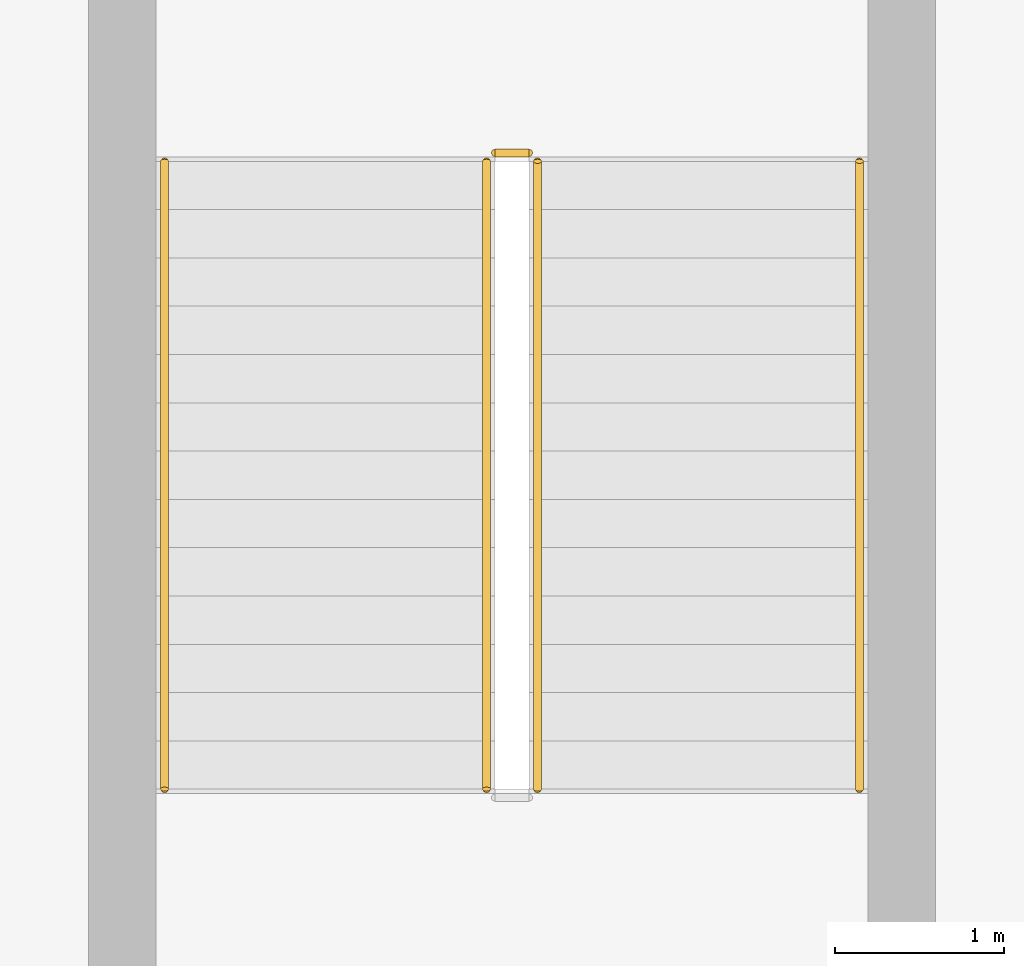
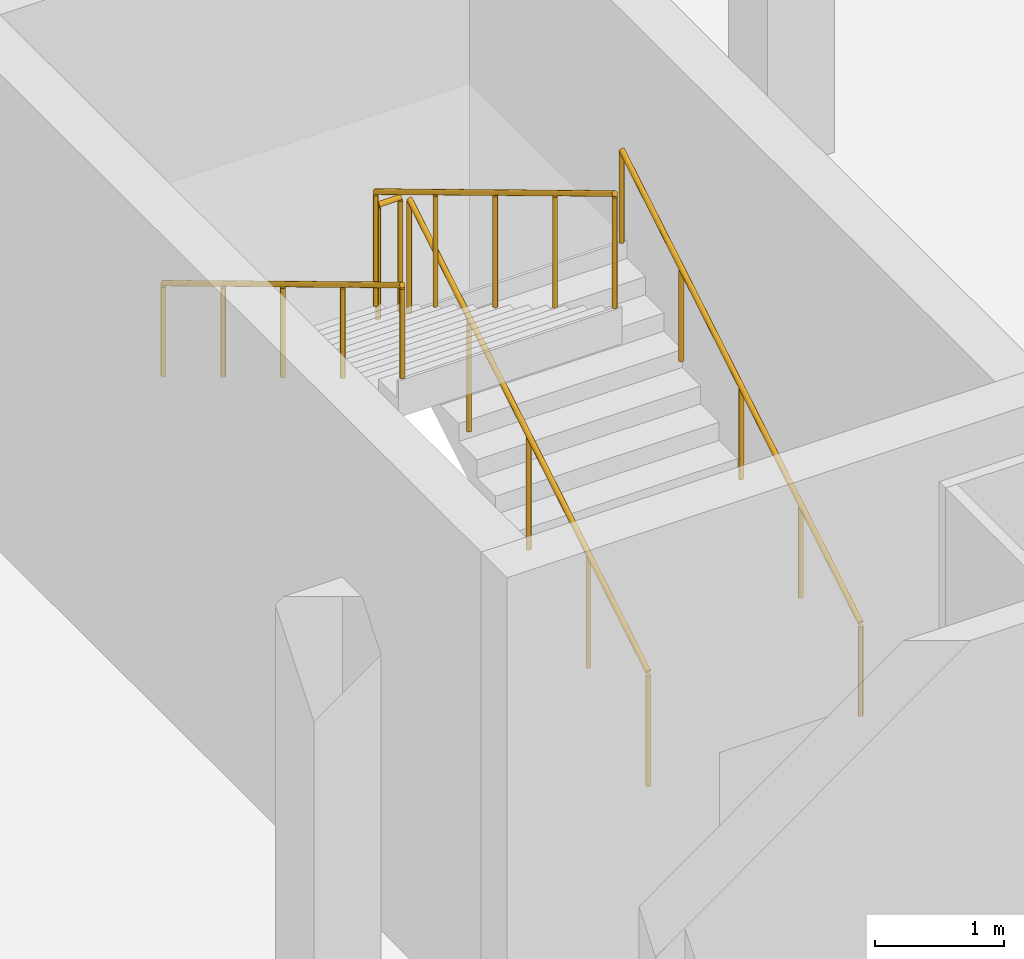
# One storey, part 98 of 99: 5 railings.
"""IFC4 building model written with IfcOpenShell, lengths in metres."""

from ifc_helpers import new_model, si_unit, direction, frame, origin, origin_2d, place, context, subcontext, project, spatial, circle, extrude, material, type_object, element, save


model = new_model("IFC4")

# Units and contexts
model_context = context("Model", 3, precision=1e-05, world=origin(), true_north=direction((0.0, 1.0)))
body_context = subcontext(model_context, "Body", "Model", "MODEL_VIEW")
ifc_project = project(units=[si_unit("LENGTHUNIT", "METRE"), si_unit("AREAUNIT", "SQUARE_METRE"), si_unit("VOLUMEUNIT", "CUBIC_METRE"), si_unit("PLANEANGLEUNIT", "RADIAN"), si_unit("MASSUNIT", "GRAM", prefix="KILO")], contexts=[model_context])

# Site, building, storey
site_placement = place(None, origin())
site = spatial("IfcSite", under=ifc_project, at=site_placement, CompositionType="ELEMENT")
building_placement = place(site_placement, origin())
building = spatial("IfcBuilding", under=site, at=building_placement, Name="Caelomonte Colonnade Arena", CompositionType="ELEMENT")
storey_placement = place(building_placement, frame((0.0, 0.0, 4.800048828125)))
storey = spatial("IfcBuildingStorey", under=building, at=storey_placement, Name="L01", CompositionType="ELEMENT", Elevation=4.800048828125)

# Railings
ifc_material_1 = material(Name="Painted galvanized steel stair guard", Category="steel")
railing_type_1 = type_object("IfcRailingType", Name="INT-RL-GRD", PredefinedType="GUARDRAIL", material=ifc_material_1)
railing_1_placement = place(storey_placement, frame((81.050048828125, 127.199951171875, 0.17138671875)))
element("IfcRailing", 1, at=railing_1_placement, inside=storey, type_object=railing_type_1, Name="L01 ST-07 stair guard 1", PredefinedType="GUARDRAIL", context=body_context, shape_type="SweptSolid", body=[
    extrude(circle(Radius=0.02392578125, at=origin_2d()), frame((0.0, 0.0, 1.076171875), z_axis=(0.0, 0.856934400257, 0.515425487977), x_axis=(-1.0, 0.0, 0.0)), (0.0, 0.0, 1.0), 4.32373046875),
    extrude(circle(Radius=0.02099609375, at=origin_2d()), origin(), (0.0, 0.0, 1.0), 1.048095703125),
    extrude(circle(Radius=0.02099609375, at=origin_2d()), frame((0.0, 0.92626953125, 0.55712890625)), (0.0, 0.0, 1.0), 1.048095703125),
    extrude(circle(Radius=0.02099609375, at=origin_2d()), frame((0.0, 1.8525390625, 1.1142578125)), (0.0, 0.0, 1.0), 1.048095703125),
    extrude(circle(Radius=0.02099609375, at=origin_2d()), frame((0.0, 2.77880859375, 1.67138671875)), (0.0, 0.0, 1.0), 1.048095703125),
    extrude(circle(Radius=0.02099609375, at=origin_2d()), frame((0.0, 3.705078125, 2.228515625)), (0.0, 0.0, 1.0), 1.048095703125),
])
railing_2_placement = place(storey_placement, frame((81.0, 130.955078125, 2.39990234375)))
element("IfcRailing", 2, at=railing_2_placement, inside=storey, type_object=railing_type_1, Name="L01 ST-07 stair guard 2", PredefinedType="GUARDRAIL", context=body_context, shape_type="SweptSolid", body=[
    extrude(circle(Radius=0.02392578125, at=origin_2d()), frame((0.0, 0.0, 1.076171875), z_axis=(-1.0, 0.0, 0.0), x_axis=(0.0, -1.0, 0.0)), (0.0, 0.0, 1.0), 0.199951171875),
    extrude(circle(Radius=0.02099609375, at=origin_2d()), origin(), (0.0, 0.0, 1.0), 1.048095703125),
    extrude(circle(Radius=0.02099609375, at=origin_2d()), frame((-0.199951171875, 0.0, 0.0)), (0.0, 0.0, 1.0), 1.048095703125),
])
railing_3_placement = place(storey_placement, frame((80.75, 130.905029296875, 2.5712890625)))
element("IfcRailing", 3, at=railing_3_placement, inside=storey, type_object=railing_type_1, Name="L01 ST-07 stair guard 3", PredefinedType="GUARDRAIL", context=body_context, shape_type="SweptSolid", body=[
    extrude(circle(Radius=0.02392578125, at=origin_2d()), frame((0.0, 0.0, 1.076171875), z_axis=(0.0, -0.856909459561, 0.515466951525), x_axis=(1.0, 0.0, 0.0)), (0.0, 0.0, 1.0), 4.32373046875),
    extrude(circle(Radius=0.02099609375, at=origin_2d()), origin(), (0.0, 0.0, 1.0), 1.048095703125),
    extrude(circle(Radius=0.02099609375, at=origin_2d()), frame((0.0, -0.92626953125, 0.55712890625)), (0.0, 0.0, 1.0), 1.048095703125),
    extrude(circle(Radius=0.02099609375, at=origin_2d()), frame((0.0, -1.8525390625, 1.1142578125)), (0.0, 0.0, 1.0), 1.048095703125),
    extrude(circle(Radius=0.02099609375, at=origin_2d()), frame((0.0, -2.77880859375, 1.671630859375)), (0.0, 0.0, 1.0), 1.048095703125),
    extrude(circle(Radius=0.02099609375, at=origin_2d()), frame((0.0, -3.705078125, 2.228759765625)), (0.0, 0.0, 1.0), 1.048095703125),
])
ifc_material_2 = material(Name="Brushed stainless steel stair handrail", Category="steel")
railing_type_2 = type_object("IfcRailingType", Name="INT-RL-HR", PredefinedType="HANDRAIL", material=ifc_material_2)
railing_4_placement = place(storey_placement, frame((82.949951171875, 127.199951171875, 0.17138671875)))
element("IfcRailing", 4, at=railing_4_placement, inside=storey, type_object=railing_type_2, Name="L01 ST-07 stair handrail 1", PredefinedType="HANDRAIL", context=body_context, shape_type="SweptSolid", body=[
    extrude(circle(Radius=0.02392578125, at=origin_2d()), frame((0.0, 0.0, 0.8759765625), z_axis=(0.0, 0.856934400257, 0.515425487977), x_axis=(-1.0, 0.0, 0.0)), (0.0, 0.0, 1.0), 4.32373046875),
    extrude(circle(Radius=0.02099609375, at=origin_2d()), origin(), (0.0, 0.0, 1.0), 0.847900390625),
    extrude(circle(Radius=0.02099609375, at=origin_2d()), frame((0.0, 0.92626953125, 0.55712890625)), (0.0, 0.0, 1.0), 0.847900390625),
    extrude(circle(Radius=0.02099609375, at=origin_2d()), frame((0.0, 1.8525390625, 1.1142578125)), (0.0, 0.0, 1.0), 0.847900390625),
    extrude(circle(Radius=0.02099609375, at=origin_2d()), frame((0.0, 2.77880859375, 1.67138671875)), (0.0, 0.0, 1.0), 0.847900390625),
    extrude(circle(Radius=0.02099609375, at=origin_2d()), frame((0.0, 3.705078125, 2.228515625)), (0.0, 0.0, 1.0), 0.847900390625),
])
railing_5_placement = place(storey_placement, frame((78.85009765625, 130.905029296875, 2.5712890625)))
element("IfcRailing", 5, at=railing_5_placement, inside=storey, type_object=railing_type_2, Name="L01 ST-07 stair handrail 2", PredefinedType="HANDRAIL", context=body_context, shape_type="SweptSolid", body=[
    extrude(circle(Radius=0.02392578125, at=origin_2d()), frame((0.0, 0.0, 0.8759765625), z_axis=(0.0, -0.856909459561, 0.515466951525), x_axis=(1.0, 0.0, 0.0)), (0.0, 0.0, 1.0), 4.32373046875),
    extrude(circle(Radius=0.02099609375, at=origin_2d()), origin(), (0.0, 0.0, 1.0), 0.847900390625),
    extrude(circle(Radius=0.02099609375, at=origin_2d()), frame((0.0, -0.92626953125, 0.55712890625)), (0.0, 0.0, 1.0), 0.847900390625),
    extrude(circle(Radius=0.02099609375, at=origin_2d()), frame((0.0, -1.8525390625, 1.1142578125)), (0.0, 0.0, 1.0), 0.847900390625),
    extrude(circle(Radius=0.02099609375, at=origin_2d()), frame((0.0, -2.77880859375, 1.671630859375)), (0.0, 0.0, 1.0), 0.847900390625),
    extrude(circle(Radius=0.02099609375, at=origin_2d()), frame((0.0, -3.705078125, 2.228759765625)), (0.0, 0.0, 1.0), 0.847900390625),
])

save(model, "model.ifc")
